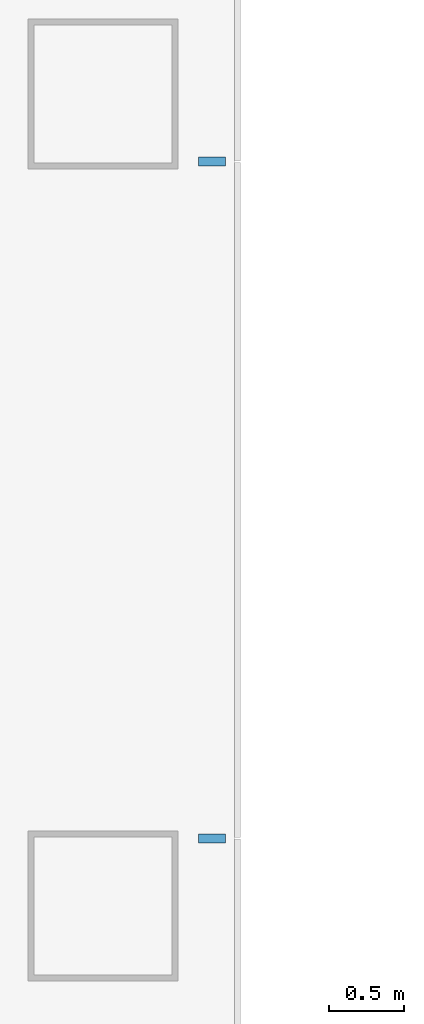
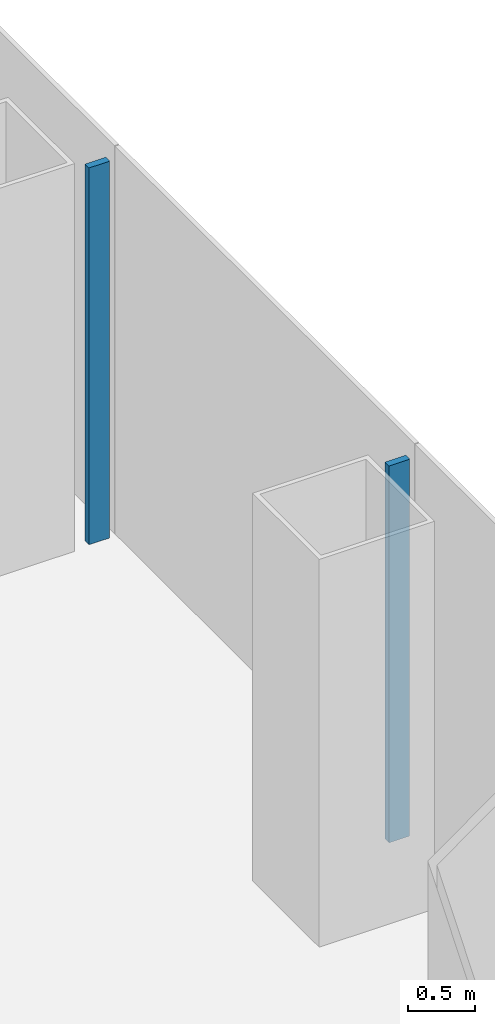
# One storey, part 4 of 21: 2 members, 1 element without a shape of its own.
"""IFC4 building model written with IfcOpenShell, lengths in metres."""

from ifc_helpers import new_model, si_unit, direction, frame, origin, origin_2d, place, context, subcontext, project, spatial, rectangle, extrude, material, layer, layer_set, material_profile, profile_set, type_object, element, aggregate, save


model = new_model("IFC4")

# Units and contexts
model_context = context("Model", 3, precision=1e-05, world=origin(), true_north=direction((0.0, 1.0)))
body_context = subcontext(model_context, "Body", "Model", "MODEL_VIEW")
ifc_project = project(units=[si_unit("LENGTHUNIT", "METRE"), si_unit("AREAUNIT", "SQUARE_METRE"), si_unit("VOLUMEUNIT", "CUBIC_METRE"), si_unit("PLANEANGLEUNIT", "RADIAN"), si_unit("MASSUNIT", "GRAM", prefix="KILO")], contexts=[model_context])

# Site, building, storey
site_placement = place(None, origin())
site = spatial("IfcSite", under=ifc_project, at=site_placement, CompositionType="ELEMENT")
building_placement = place(site_placement, origin())
building = spatial("IfcBuilding", under=site, at=building_placement, Name="Shamsa Quay Exchange Towers", CompositionType="ELEMENT")
storey_placement = place(building_placement, frame((0.0, 0.0, 42.0)))
storey = spatial("IfcBuildingStorey", under=building, at=storey_placement, Name="L08", CompositionType="ELEMENT", Elevation=42.0)

# Curtain wall, members
ifc_material = material(Name="Aluminium EN AW-6063 T6, black anodised", Category="aluminium")
ifc_layer = layer(ifc_material, 0.280029296875)
ifc_layer_set = layer_set([ifc_layer], Name="CW-1 UNITISED VISION GLASS")
curtain_wall_type = type_object("IfcCurtainWallType", Name="CW-1 UNITISED VISION GLASS", PredefinedType="NOTDEFINED", material=ifc_layer_set)
curtain_wall_placement = place(storey_placement, origin())
curtain_wall = element("IfcCurtainWall", 1, at=curtain_wall_placement, inside=storey, type_object=curtain_wall_type, Name="CW1 T1-END-U+ L08", PredefinedType="NOTDEFINED")
ifc_material_profile = material_profile(ifc_material, rectangle(XDim=0.179931640625, YDim=0.06005859375, at=origin_2d()), Name="MU60x180")
ifc_profile_set = profile_set([ifc_material_profile], Name="Aluminium EN AW-6063 T6, black anodised")
member_type = type_object("IfcMemberType", Name="CW1 MULLION 60x180", PredefinedType="MULLION", material=ifc_profile_set)
member_1_placement = place(storey_placement, frame((-4.64990234375, -2.25, 0.0), z_axis=(0.0, 0.0, 1.0), x_axis=(-1.0, 0.0, 0.0)))
member_1 = element("IfcMember", 2, at=member_1_placement, type_object=member_type, Name="CW1 mullion", PredefinedType="MULLION", context=body_context, shape_type="SweptSolid", body=[
    extrude(rectangle(XDim=0.179931640625, YDim=0.06005859375, at=origin_2d()), origin(), (0.0, 0.0, 1.0), 3.449951171875),
])
member_2_placement = place(storey_placement, frame((-4.64990234375, 2.25, 0.0), z_axis=(0.0, 0.0, 1.0), x_axis=(-1.0, 0.0, 0.0)))
member_2 = element("IfcMember", 3, at=member_2_placement, type_object=member_type, Name="CW1 mullion", PredefinedType="MULLION", context=body_context, shape_type="SweptSolid", body=[
    extrude(rectangle(XDim=0.179931640625, YDim=0.06005859375, at=origin_2d()), origin(), (0.0, 0.0, 1.0), 3.449951171875),
])
aggregate(curtain_wall, [member_1, member_2])

save(model, "model.ifc")
